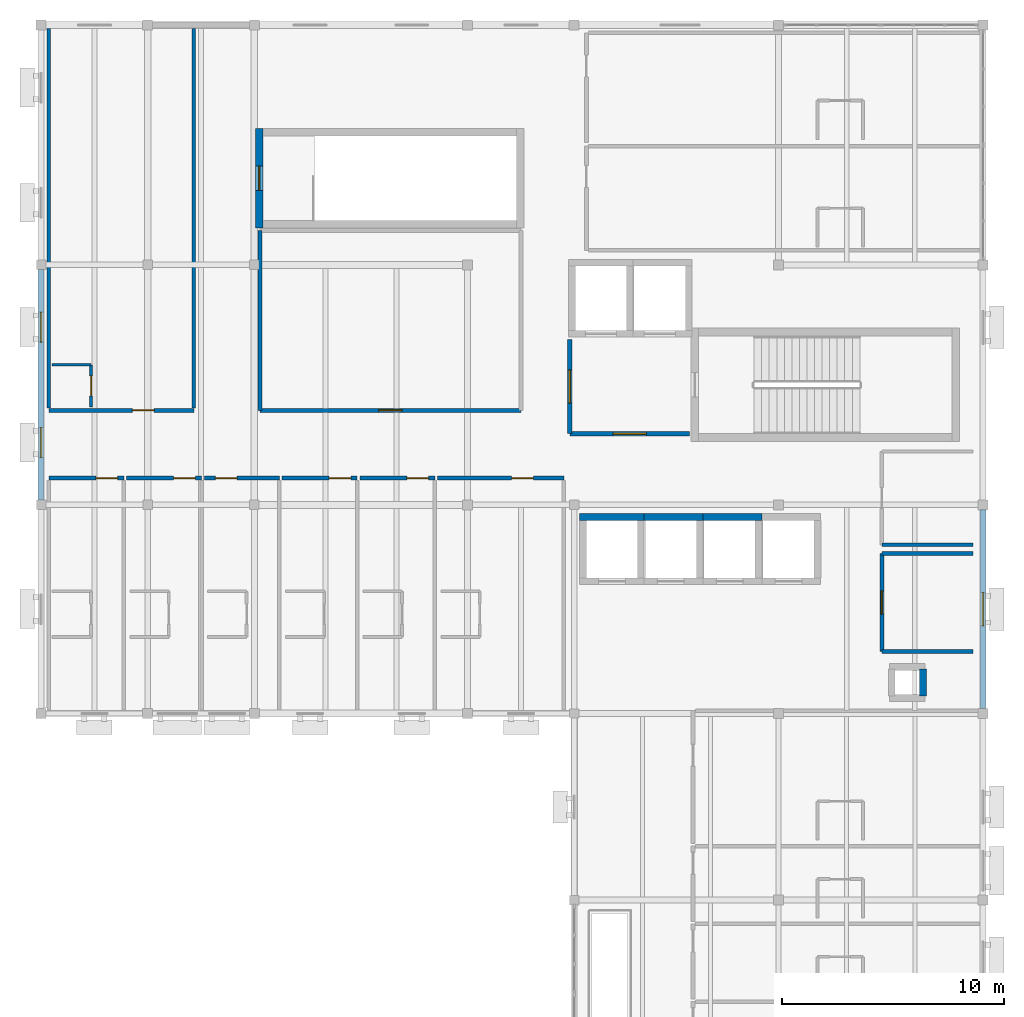
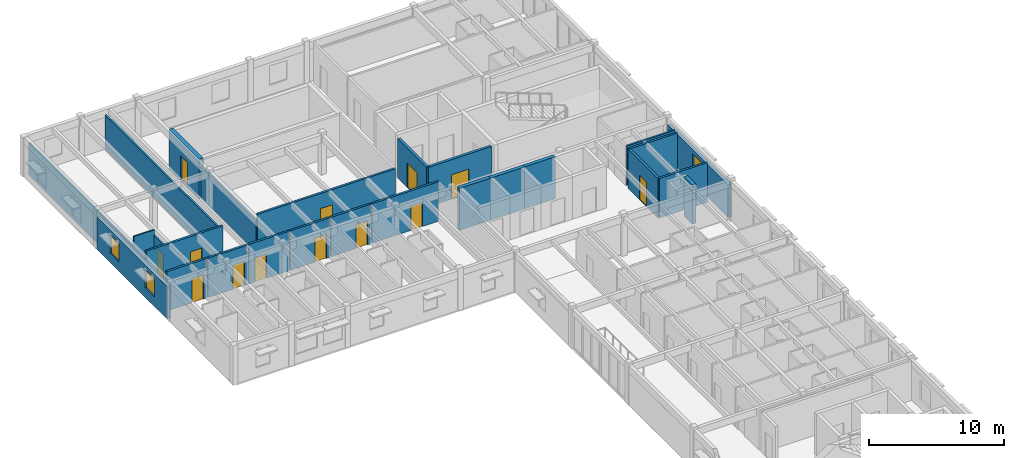
# One storey, part 10 of 17: 26 walls, 13 doors, 3 windows, 16 openings.
"""IFC4 building model written with IfcOpenShell, lengths in metres."""

from ifc_helpers import new_model, si_unit, direction, frame, frame_2d, origin, place, context, subcontext, project, spatial, rectangle, extrude, material, layer, layer_set, type_object, element, fill, save


model = new_model("IFC4")

# Units and contexts
model_context = context("Model", 3, precision=1e-05, world=origin(), true_north=direction((0.0, 1.0)))
body_context = subcontext(model_context, "Body", "Model", "MODEL_VIEW")
ifc_project = project(units=[si_unit("LENGTHUNIT", "METRE"), si_unit("AREAUNIT", "SQUARE_METRE"), si_unit("VOLUMEUNIT", "CUBIC_METRE"), si_unit("PLANEANGLEUNIT", "RADIAN"), si_unit("MASSUNIT", "GRAM", prefix="KILO")], contexts=[model_context])

# Site, building, storey
site_placement = place(None, origin())
site = spatial("IfcSite", under=ifc_project, at=site_placement, CompositionType="ELEMENT")
building_placement = place(site_placement, origin())
building = spatial("IfcBuilding", under=site, at=building_placement, Name="Veldera Park Congress Hotel", CompositionType="ELEMENT")
storey_placement = place(building_placement, frame((0.0, 0.0, 35.199951171875)))
storey = spatial("IfcBuildingStorey", under=building, at=storey_placement, Name="L08", CompositionType="ELEMENT", Elevation=35.199951171875)

# Wall, opening, window
ifc_material_1 = material(Name="Cross-laminated timber CLT V2M1.1", Category="wood")
ifc_layer_1 = layer(ifc_material_1, 0.280029296875)
ifc_layer_set_1 = layer_set([ifc_layer_1], Name="Cross-laminated timber CLT V2M1.1")
wall_type_1 = type_object("IfcWallType", Name="EW-CLT280", PredefinedType="STANDARD", material=ifc_layer_set_1)
wall_1_placement = place(storey_placement, frame((84.0, 27.222900390625, 0.0), z_axis=(0.0, 0.0, 1.0), x_axis=(0.0, 1.0, 0.0)))
wall_1 = element("IfcWall", 1, at=wall_1_placement, inside=storey, type_object=wall_type_1, Name="L08 Exterior Wall EW3-L08-0378", PredefinedType="STANDARD", context=body_context, shape_type="SweptSolid", body=[
    extrude(rectangle(XDim=8.9541015625, YDim=0.280029296875, at=frame_2d((4.47705078125, 0.0))), origin(), (0.0, 0.0, 1.0), 2.97998046875),
])
opening_1_placement = place(wall_1_placement, frame((3.72705078125, 0.0, 0.85009765625)))
opening_1 = element("IfcOpeningElement", 2, at=opening_1_placement, cuts=wall_1, Name="Opening WIN-1500", PredefinedType="OPENING", context=body_context, shape_type="SweptSolid", body=[
    extrude(rectangle(XDim=1.5, YDim=1.75, at=frame_2d((0.75, 0.875))), frame((0.0, 0.152099609375, 0.0), z_axis=(0.0, -1.0, 0.0), x_axis=(1.0, 0.0, 0.0)), (0.0, 0.0, 1.0), 0.303955078125),
])
ifc_material_2 = material(Name="Low-E Triple Insulating Glass Unit (SHGC 0.22)", Category="glass")
window_type_1 = type_object("IfcWindowType", Name="WIN-1500", PartitioningType="SINGLE_PANEL", PredefinedType="WINDOW", material=ifc_material_2)
window_1_placement = place(opening_1_placement, origin())
window_1 = element("IfcWindow", 3, at=window_1_placement, inside=storey, type_object=window_type_1, Name="L08 Window WIN-1500 288", OverallHeight=1.75, OverallWidth=1.5, PartitioningType="SINGLE_PANEL", PredefinedType="WINDOW", context=body_context, shape_type="SweptSolid", body=[
    extrude(rectangle(XDim=1.5, YDim=1.75, at=frame_2d((0.75, 0.875))), frame((0.0, 0.030029296875, 0.0), z_axis=(0.0, -1.0, 0.0), x_axis=(1.0, 0.0, 0.0)), (0.0, 0.0, 1.0), 0.06005859375),
])
fill(opening_1, window_1)

# Wall, openings, windows
wall_2_placement = place(storey_placement, frame((41.60009765625, 46.991943359375, 0.0), z_axis=(0.0, 0.0, 1.0), x_axis=(0.0, -1.0, 0.0)))
wall_2 = element("IfcWall", 4, at=wall_2_placement, inside=storey, type_object=wall_type_1, Name="L08 Exterior Wall EW3-L08-0386", PredefinedType="STANDARD", context=body_context, shape_type="SweptSolid", body=[
    extrude(rectangle(XDim=10.384033203125, YDim=0.280029296875, at=frame_2d((5.19189453125, 0.0))), origin(), (0.0, 0.0, 1.0), 2.920166015625),
])
opening_2_placement = place(wall_2_placement, frame((1.9208984375, 0.0, 0.85009765625)))
opening_2 = element("IfcOpeningElement", 5, at=opening_2_placement, cuts=wall_2, Name="Opening WIN-1350", PredefinedType="OPENING", context=body_context, shape_type="SweptSolid", body=[
    extrude(rectangle(XDim=1.35009765625, YDim=1.64990234375, at=frame_2d((0.675048828125, 0.824951171875))), frame((0.0, 0.152099609375, 0.0), z_axis=(0.0, -1.0, 0.0), x_axis=(1.0, 0.0, 0.0)), (0.0, 0.0, 1.0), 0.303955078125),
])
opening_3_placement = place(wall_2_placement, frame((7.113037109375, 0.0, 0.85009765625)))
opening_3 = element("IfcOpeningElement", 6, at=opening_3_placement, cuts=wall_2, Name="Opening WIN-1350", PredefinedType="OPENING", context=body_context, shape_type="SweptSolid", body=[
    extrude(rectangle(XDim=1.35009765625, YDim=1.64990234375, at=frame_2d((0.675048828125, 0.824951171875))), frame((0.0, 0.152099609375, 0.0), z_axis=(0.0, -1.0, 0.0), x_axis=(1.0, 0.0, 0.0)), (0.0, 0.0, 1.0), 0.303955078125),
])
window_type_2 = type_object("IfcWindowType", Name="WIN-1350", PartitioningType="SINGLE_PANEL", PredefinedType="WINDOW", material=ifc_material_2)
window_2_placement = place(opening_2_placement, origin())
window_2 = element("IfcWindow", 7, at=window_2_placement, inside=storey, type_object=window_type_2, Name="L08 Window WIN-1350 296", OverallHeight=1.64990234375, OverallWidth=1.35009765625, PartitioningType="SINGLE_PANEL", PredefinedType="WINDOW", context=body_context, shape_type="SweptSolid", body=[
    extrude(rectangle(XDim=1.35009765625, YDim=1.64990234375, at=frame_2d((0.675048828125, 0.824951171875))), frame((0.0, 0.030029296875, 0.0), z_axis=(0.0, -1.0, 0.0), x_axis=(1.0, 0.0, 0.0)), (0.0, 0.0, 1.0), 0.06005859375),
])
fill(opening_2, window_2)
window_3_placement = place(opening_3_placement, origin())
window_3 = element("IfcWindow", 8, at=window_3_placement, inside=storey, type_object=window_type_2, Name="L08 Window WIN-1350 297", OverallHeight=1.64990234375, OverallWidth=1.35009765625, PartitioningType="SINGLE_PANEL", PredefinedType="WINDOW", context=body_context, shape_type="SweptSolid", body=[
    extrude(rectangle(XDim=1.35009765625, YDim=1.64990234375, at=frame_2d((0.675048828125, 0.824951171875))), frame((0.0, 0.030029296875, 0.0), z_axis=(0.0, -1.0, 0.0), x_axis=(1.0, 0.0, 0.0)), (0.0, 0.0, 1.0), 0.06005859375),
])
fill(opening_3, window_3)

# Wall, opening, door
ifc_material_3 = material(Name="Fire-Rated Gypsum Board on Cold-Formed Steel Studs", Category="steel")
ifc_layer_2 = layer(ifc_material_3, 0.1201171875)
ifc_layer_set_2 = layer_set([ifc_layer_2], Name="Fire-Rated Gypsum Board on Cold-Formed Steel Studs")
wall_type_2 = type_object("IfcWallType", Name="IW-BATH120", PredefinedType="PARTITIONING", material=ifc_layer_set_2)
wall_3_placement = place(storey_placement, frame((43.85009765625, 40.800048828125, 0.0), z_axis=(0.0, 0.0, 1.0), x_axis=(0.0, 1.0, 0.0)))
wall_3 = element("IfcWall", 9, at=wall_3_placement, inside=storey, type_object=wall_type_2, Name="L08 Partition Wall IW3-L08-01580", PredefinedType="PARTITIONING", context=body_context, shape_type="SweptSolid", body=[
    extrude(rectangle(XDim=1.89990234375, YDim=0.1201171875, at=frame_2d((0.949951171875, 0.0))), origin(), (0.0, 0.0, 1.0), 3.110107421875),
])
opening_4_placement = place(wall_3_placement, frame((0.5, 0.0, 0.0)))
opening_4 = element("IfcOpeningElement", 10, at=opening_4_placement, cuts=wall_3, Name="Opening ID-BATH090", PredefinedType="OPENING", context=body_context, shape_type="SweptSolid", body=[
    extrude(rectangle(XDim=0.89990234375, YDim=2.14990234375, at=frame_2d((0.449951171875, 1.074951171875))), frame((0.0, 0.072021484375, 0.0), z_axis=(0.0, -1.0, 0.0), x_axis=(1.0, 0.0, 0.0)), (0.0, 0.0, 1.0), 0.14404296875),
])
ifc_material_4 = material(Name="Solid Core White Oak Architectural Door", Category="wood")
door_type_1 = type_object("IfcDoorType", Name="ID-BATH090", OperationType="NOTDEFINED", PredefinedType="DOOR", material=ifc_material_4)
door_1_placement = place(opening_4_placement, origin())
door_1 = element("IfcDoor", 11, at=door_1_placement, inside=storey, type_object=door_type_1, Name="L08 En-suite 256 Door ID3-L08-0651 (DR3-ID3-L08-0651)", OperationType="SINGLE_SWING_LEFT", OverallHeight=2.14990234375, OverallWidth=0.89990234375, PredefinedType="DOOR", context=body_context, shape_type="SweptSolid", body=[
    extrude(rectangle(XDim=0.89990234375, YDim=2.14990234375, at=frame_2d((0.449951171875, 1.074951171875))), frame((0.0, 0.02490234375, 0.0), z_axis=(0.0, -1.0, 0.0), x_axis=(1.0, 0.0, 0.0)), (0.0, 0.0, 1.0), 0.050048828125),
])
fill(opening_4, door_1)

# Walls
wall_4_placement = place(storey_placement, frame((42.10009765625, 42.699951171875, 0.0), z_axis=(0.0, 0.0, 1.0), x_axis=(1.0, 0.0, 0.0)))
element("IfcWall", 12, at=wall_4_placement, inside=storey, type_object=wall_type_2, Name="L08 Partition Wall IW3-L08-01581", PredefinedType="PARTITIONING", context=body_context, shape_type="SweptSolid", body=[
    extrude(rectangle(XDim=1.75, YDim=0.1201171875, at=frame_2d((0.875, 0.0))), origin(), (0.0, 0.0, 1.0), 3.56494140625),
])
ifc_layer_3 = layer(ifc_material_3, 0.179931640625)
ifc_layer_set_3 = layer_set([ifc_layer_3], Name="Fire-Rated Gypsum Board on Cold-Formed Steel Studs")
wall_type_3 = type_object("IfcWallType", Name="IW-CORR180", PredefinedType="PARTITIONING", material=ifc_layer_set_3)
for number, where, z_axis, x_axis, name in (
    (13, (79.449951171875, 29.800048828125, 0.0), (0.0, 0.0, 1.0), (1.0, 0.0, 0.0), "L08 Partition Wall IW3-L08-00307"),
    (14, (83.550048828125, 34.199951171875, 0.0), (0.0, 0.0, 1.0), (-1.0, 0.0, 0.0), "L08 Partition Wall IW3-L08-00308"),
):
    element("IfcWall", number, at=place(storey_placement, frame(where, z_axis=z_axis, x_axis=x_axis)), inside=storey, type_object=wall_type_3, Name=name, PredefinedType="PARTITIONING", context=body_context, shape_type="SweptSolid", body=[
        extrude(rectangle(XDim=4.10009765625, YDim=0.179931640625, at=frame_2d((2.050048828125, 0.0))), origin(), (0.0, 0.0, 1.0), 3.56494140625),
    ])

# Wall, opening, door
wall_5_placement = place(storey_placement, frame((79.449951171875, 34.199951171875, 0.0), z_axis=(0.0, 0.0, 1.0), x_axis=(0.0, -1.0, 0.0)))
wall_5 = element("IfcWall", 15, at=wall_5_placement, inside=storey, type_object=wall_type_3, Name="L08 Partition Wall IW3-L08-00309", PredefinedType="PARTITIONING", context=body_context, shape_type="SweptSolid", body=[
    extrude(rectangle(XDim=4.39990234375, YDim=0.179931640625, at=frame_2d((2.199951171875, 0.0))), origin(), (0.0, 0.0, 1.0), 3.56494140625),
])
opening_5_placement = place(wall_5_placement, frame((1.675048828125, 0.0, 0.0)))
opening_5 = element("IfcOpeningElement", 16, at=opening_5_placement, cuts=wall_5, Name="Opening ID-MEET105", PredefinedType="OPENING", context=body_context, shape_type="SweptSolid", body=[
    extrude(rectangle(XDim=1.050048828125, YDim=2.199951171875, at=frame_2d((0.52490234375, 1.10009765625))), frame((0.0, 0.10205078125, 0.0), z_axis=(0.0, -1.0, 0.0), x_axis=(1.0, 0.0, 0.0)), (0.0, 0.0, 1.0), 0.203857421875),
])
door_type_2 = type_object("IfcDoorType", Name="ID-MEET105", OperationType="NOTDEFINED", PredefinedType="DOOR", material=ifc_material_4)
door_2_placement = place(opening_5_placement, origin())
door_2 = element("IfcDoor", 17, at=door_2_placement, inside=storey, type_object=door_type_2, Name="L08 L08 Housekeeping and Linen Store Door ID3-L08-0115 (DR3-ID3-L08-0115)", OperationType="SINGLE_SWING_RIGHT", OverallHeight=2.199951171875, OverallWidth=1.050048828125, PredefinedType="DOOR", context=body_context, shape_type="SweptSolid", body=[
    extrude(rectangle(XDim=1.050048828125, YDim=2.199951171875, at=frame_2d((0.52490234375, 1.10009765625))), frame((0.0, 0.02490234375, 0.0), z_axis=(0.0, -1.0, 0.0), x_axis=(1.0, 0.0, 0.0)), (0.0, 0.0, 1.0), 0.050048828125),
])
fill(opening_5, door_2)

wall_6_placement = place(storey_placement, frame((51.449951171875, 40.64990234375, 0.0), z_axis=(0.0, 0.0, 1.0), x_axis=(1.0, 0.0, 0.0)))
wall_6 = element("IfcWall", 18, at=wall_6_placement, inside=storey, type_object=wall_type_3, Name="L08 Partition Wall IW3-L08-00313", PredefinedType="PARTITIONING", context=body_context, shape_type="SweptSolid", body=[
    extrude(rectangle(XDim=11.75, YDim=0.179931640625, at=frame_2d((5.875, 0.0))), origin(), (0.0, 0.0, 1.0), 3.56494140625),
])
opening_6_placement = place(wall_6_placement, frame((5.35009765625, 0.0, 0.0)))
opening_6 = element("IfcOpeningElement", 19, at=opening_6_placement, cuts=wall_6, Name="Opening ID-MEET105", PredefinedType="OPENING", context=body_context, shape_type="SweptSolid", body=[
    extrude(rectangle(XDim=1.050048828125, YDim=2.199951171875, at=frame_2d((0.52490234375, 1.10009765625))), frame((0.0, 0.10205078125, 0.0), z_axis=(0.0, -1.0, 0.0), x_axis=(1.0, 0.0, 0.0)), (0.0, 0.0, 1.0), 0.203857421875),
])
door_3_placement = place(opening_6_placement, origin())
door_3 = element("IfcDoor", 20, at=door_3_placement, inside=storey, type_object=door_type_2, Name="L08 L08 North Garden Executive Boardroom Door ID3-L08-0117 (DR3-ID3-L08-0117)", OperationType="SINGLE_SWING_RIGHT", OverallHeight=2.199951171875, OverallWidth=1.050048828125, PredefinedType="DOOR", context=body_context, shape_type="SweptSolid", body=[
    extrude(rectangle(XDim=1.050048828125, YDim=2.199951171875, at=frame_2d((0.52490234375, 1.10009765625))), frame((0.0, 0.02490234375, 0.0), z_axis=(0.0, -1.0, 0.0), x_axis=(1.0, 0.0, 0.0)), (0.0, 0.0, 1.0), 0.050048828125),
])
fill(opening_6, door_3)

# Wall
wall_7_placement = place(storey_placement, frame((51.449951171875, 48.75, 0.0), z_axis=(0.0, 0.0, 1.0), x_axis=(0.0, -1.0, 0.0)))
element("IfcWall", 21, at=wall_7_placement, inside=storey, type_object=wall_type_3, Name="L08 Partition Wall IW3-L08-00316", PredefinedType="PARTITIONING", context=body_context, shape_type="SweptSolid", body=[
    extrude(rectangle(XDim=8.10009765625, YDim=0.179931640625, at=frame_2d((4.050048828125, 0.0))), origin(), (0.0, 0.0, 1.0), 2.920166015625),
])

# Wall, opening, door
wall_8_placement = place(storey_placement, frame((45.330078125, 37.60009765625, 0.0), z_axis=(0.0, 0.0, 1.0), x_axis=(-1.0, 0.0, 0.0)))
wall_8 = element("IfcWall", 22, at=wall_8_placement, inside=storey, type_object=wall_type_3, Name="L08 Corridor Wall IW3-L08-01535", PredefinedType="PARTITIONING", context=body_context, shape_type="SweptSolid", body=[
    extrude(rectangle(XDim=3.380126953125, YDim=0.179931640625, at=frame_2d((1.68994140625, 0.0))), origin(), (0.0, 0.0, 1.0), 3.56494140625),
])
opening_7_placement = place(wall_8_placement, frame((0.280029296875, 0.0, 0.0)))
opening_7 = element("IfcOpeningElement", 23, at=opening_7_placement, cuts=wall_8, Name="Opening ID-UNIT098", PredefinedType="OPENING", context=body_context, shape_type="SweptSolid", body=[
    extrude(rectangle(XDim=0.97998046875, YDim=2.179931640625, at=frame_2d((0.489990234375, 1.08984375))), frame((0.0, 0.10205078125, 0.0), z_axis=(0.0, -1.0, 0.0), x_axis=(1.0, 0.0, 0.0)), (0.0, 0.0, 1.0), 0.203857421875),
])
door_type_3 = type_object("IfcDoorType", Name="ID-UNIT098", OperationType="NOTDEFINED", PredefinedType="DOOR", material=ifc_material_4)
door_4_placement = place(opening_7_placement, frame((0.97998046875, 0.0, 0.0), z_axis=(0.0, 0.0, 1.0), x_axis=(-1.0, 0.0, 0.0)))
door_4 = element("IfcDoor", 24, at=door_4_placement, inside=storey, type_object=door_type_3, Name="L08 Guestroom 248 Entry Door (DR3-UD3-L08-248)", OperationType="SINGLE_SWING_RIGHT", OverallHeight=2.179931640625, OverallWidth=0.97998046875, PredefinedType="DOOR", context=body_context, shape_type="SweptSolid", body=[
    extrude(rectangle(XDim=0.97998046875, YDim=2.179931640625, at=frame_2d((0.489990234375, 1.08984375))), frame((0.0, 0.02490234375, 0.0), z_axis=(0.0, -1.0, 0.0), x_axis=(1.0, 0.0, 0.0)), (0.0, 0.0, 1.0), 0.050048828125),
])
fill(opening_7, door_4)

wall_9_placement = place(storey_placement, frame((48.830078125, 37.60009765625, 0.0), z_axis=(0.0, 0.0, 1.0), x_axis=(-1.0, 0.0, 0.0)))
wall_9 = element("IfcWall", 25, at=wall_9_placement, inside=storey, type_object=wall_type_3, Name="L08 Corridor Wall IW3-L08-01541", PredefinedType="PARTITIONING", context=body_context, shape_type="SweptSolid", body=[
    extrude(rectangle(XDim=3.380126953125, YDim=0.179931640625, at=frame_2d((1.68994140625, 0.0))), origin(), (0.0, 0.0, 1.0), 3.56494140625),
])
opening_8_placement = place(wall_9_placement, frame((0.280029296875, 0.0, 0.0)))
opening_8 = element("IfcOpeningElement", 26, at=opening_8_placement, cuts=wall_9, Name="Opening ID-UNIT098", PredefinedType="OPENING", context=body_context, shape_type="SweptSolid", body=[
    extrude(rectangle(XDim=0.97998046875, YDim=2.179931640625, at=frame_2d((0.489990234375, 1.08984375))), frame((0.0, 0.10205078125, 0.0), z_axis=(0.0, -1.0, 0.0), x_axis=(1.0, 0.0, 0.0)), (0.0, 0.0, 1.0), 0.203857421875),
])
door_5_placement = place(opening_8_placement, frame((0.97998046875, 0.0, 0.0), z_axis=(0.0, 0.0, 1.0), x_axis=(-1.0, 0.0, 0.0)))
door_5 = element("IfcDoor", 27, at=door_5_placement, inside=storey, type_object=door_type_3, Name="L08 Guestroom 249 Entry Door (DR3-UD3-L08-249)", OperationType="SINGLE_SWING_RIGHT", OverallHeight=2.179931640625, OverallWidth=0.97998046875, PredefinedType="DOOR", context=body_context, shape_type="SweptSolid", body=[
    extrude(rectangle(XDim=0.97998046875, YDim=2.179931640625, at=frame_2d((0.489990234375, 1.08984375))), frame((0.0, 0.02490234375, 0.0), z_axis=(0.0, -1.0, 0.0), x_axis=(1.0, 0.0, 0.0)), (0.0, 0.0, 1.0), 0.050048828125),
])
fill(opening_8, door_5)

wall_10_placement = place(storey_placement, frame((52.330078125, 37.60009765625, 0.0), z_axis=(0.0, 0.0, 1.0), x_axis=(-1.0, 0.0, 0.0)))
wall_10 = element("IfcWall", 28, at=wall_10_placement, inside=storey, type_object=wall_type_3, Name="L08 Corridor Wall IW3-L08-01546", PredefinedType="PARTITIONING", context=body_context, shape_type="SweptSolid", body=[
    extrude(rectangle(XDim=3.380126953125, YDim=0.179931640625, at=frame_2d((1.68994140625, 0.0))), origin(), (0.0, 0.0, 1.0), 3.56494140625),
])
opening_9_placement = place(wall_10_placement, frame((1.902099609375, 0.0, 0.0)))
opening_9 = element("IfcOpeningElement", 29, at=opening_9_placement, cuts=wall_10, Name="Opening ID-UNIT098", PredefinedType="OPENING", context=body_context, shape_type="SweptSolid", body=[
    extrude(rectangle(XDim=0.97998046875, YDim=2.179931640625, at=frame_2d((0.489990234375, 1.08984375))), frame((0.0, 0.10205078125, 0.0), z_axis=(0.0, -1.0, 0.0), x_axis=(1.0, 0.0, 0.0)), (0.0, 0.0, 1.0), 0.203857421875),
])
door_6_placement = place(opening_9_placement, frame((0.97998046875, 0.0, 0.0), z_axis=(0.0, 0.0, 1.0), x_axis=(-1.0, 0.0, 0.0)))
door_6 = element("IfcDoor", 30, at=door_6_placement, inside=storey, type_object=door_type_3, Name="L08 Guestroom 250 Entry Door (DR3-UD3-L08-250)", OperationType="SINGLE_SWING_RIGHT", OverallHeight=2.179931640625, OverallWidth=0.97998046875, PredefinedType="DOOR", context=body_context, shape_type="SweptSolid", body=[
    extrude(rectangle(XDim=0.97998046875, YDim=2.179931640625, at=frame_2d((0.489990234375, 1.08984375))), frame((0.0, 0.02490234375, 0.0), z_axis=(0.0, -1.0, 0.0), x_axis=(1.0, 0.0, 0.0)), (0.0, 0.0, 1.0), 0.050048828125),
])
fill(opening_9, door_6)

wall_11_placement = place(storey_placement, frame((55.830078125, 37.60009765625, 0.0), z_axis=(0.0, 0.0, 1.0), x_axis=(-1.0, 0.0, 0.0)))
wall_11 = element("IfcWall", 31, at=wall_11_placement, inside=storey, type_object=wall_type_3, Name="L08 Corridor Wall IW3-L08-01551", PredefinedType="PARTITIONING", context=body_context, shape_type="SweptSolid", body=[
    extrude(rectangle(XDim=3.380126953125, YDim=0.179931640625, at=frame_2d((1.68994140625, 0.0))), origin(), (0.0, 0.0, 1.0), 3.56494140625),
])
opening_10_placement = place(wall_11_placement, frame((0.280029296875, 0.0, 0.0)))
opening_10 = element("IfcOpeningElement", 32, at=opening_10_placement, cuts=wall_11, Name="Opening ID-UNIT098", PredefinedType="OPENING", context=body_context, shape_type="SweptSolid", body=[
    extrude(rectangle(XDim=0.97998046875, YDim=2.179931640625, at=frame_2d((0.489990234375, 1.08984375))), frame((0.0, 0.10205078125, 0.0), z_axis=(0.0, -1.0, 0.0), x_axis=(1.0, 0.0, 0.0)), (0.0, 0.0, 1.0), 0.203857421875),
])
door_7_placement = place(opening_10_placement, frame((0.97998046875, 0.0, 0.0), z_axis=(0.0, 0.0, 1.0), x_axis=(-1.0, 0.0, 0.0)))
door_7 = element("IfcDoor", 33, at=door_7_placement, inside=storey, type_object=door_type_3, Name="L08 Guestroom 251 Entry Door (DR3-UD3-L08-251)", OperationType="SINGLE_SWING_RIGHT", OverallHeight=2.179931640625, OverallWidth=0.97998046875, PredefinedType="DOOR", context=body_context, shape_type="SweptSolid", body=[
    extrude(rectangle(XDim=0.97998046875, YDim=2.179931640625, at=frame_2d((0.489990234375, 1.08984375))), frame((0.0, 0.02490234375, 0.0), z_axis=(0.0, -1.0, 0.0), x_axis=(1.0, 0.0, 0.0)), (0.0, 0.0, 1.0), 0.050048828125),
])
fill(opening_10, door_7)

wall_12_placement = place(storey_placement, frame((59.330078125, 37.60009765625, 0.0), z_axis=(0.0, 0.0, 1.0), x_axis=(-1.0, 0.0, 0.0)))
wall_12 = element("IfcWall", 34, at=wall_12_placement, inside=storey, type_object=wall_type_3, Name="L08 Corridor Wall IW3-L08-01556", PredefinedType="PARTITIONING", context=body_context, shape_type="SweptSolid", body=[
    extrude(rectangle(XDim=3.380126953125, YDim=0.179931640625, at=frame_2d((1.68994140625, 0.0))), origin(), (0.0, 0.0, 1.0), 3.56494140625),
])
opening_11_placement = place(wall_12_placement, frame((0.280029296875, 0.0, 0.0)))
opening_11 = element("IfcOpeningElement", 35, at=opening_11_placement, cuts=wall_12, Name="Opening ID-UNIT098", PredefinedType="OPENING", context=body_context, shape_type="SweptSolid", body=[
    extrude(rectangle(XDim=0.97998046875, YDim=2.179931640625, at=frame_2d((0.489990234375, 1.08984375))), frame((0.0, 0.10205078125, 0.0), z_axis=(0.0, -1.0, 0.0), x_axis=(1.0, 0.0, 0.0)), (0.0, 0.0, 1.0), 0.203857421875),
])
door_8_placement = place(opening_11_placement, frame((0.97998046875, 0.0, 0.0), z_axis=(0.0, 0.0, 1.0), x_axis=(-1.0, 0.0, 0.0)))
door_8 = element("IfcDoor", 36, at=door_8_placement, inside=storey, type_object=door_type_3, Name="L08 Guestroom 252 Entry Door (DR3-UD3-L08-252)", OperationType="SINGLE_SWING_RIGHT", OverallHeight=2.179931640625, OverallWidth=0.97998046875, PredefinedType="DOOR", context=body_context, shape_type="SweptSolid", body=[
    extrude(rectangle(XDim=0.97998046875, YDim=2.179931640625, at=frame_2d((0.489990234375, 1.08984375))), frame((0.0, 0.02490234375, 0.0), z_axis=(0.0, -1.0, 0.0), x_axis=(1.0, 0.0, 0.0)), (0.0, 0.0, 1.0), 0.050048828125),
])
fill(opening_11, door_8)

wall_13_placement = place(storey_placement, frame((65.1298828125, 37.60009765625, 0.0), z_axis=(0.0, 0.0, 1.0), x_axis=(-1.0, 0.0, 0.0)))
wall_13 = element("IfcWall", 37, at=wall_13_placement, inside=storey, type_object=wall_type_3, Name="L08 Corridor Wall IW3-L08-01561", PredefinedType="PARTITIONING", context=body_context, shape_type="SweptSolid", body=[
    extrude(rectangle(XDim=5.679931640625, YDim=0.179931640625, at=frame_2d((2.83984375, 0.0))), origin(), (0.0, 0.0, 1.0), 3.56494140625),
])
opening_12_placement = place(wall_13_placement, frame((1.3701171875, 0.0, 0.0)))
opening_12 = element("IfcOpeningElement", 38, at=opening_12_placement, cuts=wall_13, Name="Opening ID-UNIT098", PredefinedType="OPENING", context=body_context, shape_type="SweptSolid", body=[
    extrude(rectangle(XDim=0.97998046875, YDim=2.179931640625, at=frame_2d((0.489990234375, 1.08984375))), frame((0.0, 0.10205078125, 0.0), z_axis=(0.0, -1.0, 0.0), x_axis=(1.0, 0.0, 0.0)), (0.0, 0.0, 1.0), 0.203857421875),
])
door_9_placement = place(opening_12_placement, frame((0.97998046875, 0.0, 0.0), z_axis=(0.0, 0.0, 1.0), x_axis=(-1.0, 0.0, 0.0)))
door_9 = element("IfcDoor", 39, at=door_9_placement, inside=storey, type_object=door_type_3, Name="L08 Guestroom 253 Entry Door (DR3-UD3-L08-253)", OperationType="SINGLE_SWING_RIGHT", OverallHeight=2.179931640625, OverallWidth=0.97998046875, PredefinedType="DOOR", context=body_context, shape_type="SweptSolid", body=[
    extrude(rectangle(XDim=0.97998046875, YDim=2.179931640625, at=frame_2d((0.489990234375, 1.08984375))), frame((0.0, 0.02490234375, 0.0), z_axis=(0.0, -1.0, 0.0), x_axis=(1.0, 0.0, 0.0)), (0.0, 0.0, 1.0), 0.050048828125),
])
fill(opening_12, door_9)

wall_14_placement = place(storey_placement, frame((41.949951171875, 40.64990234375, 0.0), z_axis=(0.0, 0.0, 1.0), x_axis=(1.0, 0.0, 0.0)))
wall_14 = element("IfcWall", 40, at=wall_14_placement, inside=storey, type_object=wall_type_3, Name="L08 Corridor Wall IW3-L08-01577", PredefinedType="PARTITIONING", context=body_context, shape_type="SweptSolid", body=[
    extrude(rectangle(XDim=6.530029296875, YDim=0.179931640625, at=frame_2d((3.26513671875, 0.0))), origin(), (0.0, 0.0, 1.0), 3.56494140625),
])
opening_13_placement = place(wall_14_placement, frame((3.7548828125, 0.0, 0.0)))
opening_13 = element("IfcOpeningElement", 41, at=opening_13_placement, cuts=wall_14, Name="Opening ID-UNIT098", PredefinedType="OPENING", context=body_context, shape_type="SweptSolid", body=[
    extrude(rectangle(XDim=0.97998046875, YDim=2.179931640625, at=frame_2d((0.489990234375, 1.08984375))), frame((0.0, 0.10205078125, 0.0), z_axis=(0.0, -1.0, 0.0), x_axis=(1.0, 0.0, 0.0)), (0.0, 0.0, 1.0), 0.203857421875),
])
door_10_placement = place(opening_13_placement, frame((0.97998046875, 0.0, 0.0), z_axis=(0.0, 0.0, 1.0), x_axis=(-1.0, 0.0, 0.0)))
door_10 = element("IfcDoor", 42, at=door_10_placement, inside=storey, type_object=door_type_3, Name="L08 Guestroom 256 Entry Door (DR3-UD3-L08-256)", OperationType="SINGLE_SWING_RIGHT", OverallHeight=2.179931640625, OverallWidth=0.97998046875, PredefinedType="DOOR", context=body_context, shape_type="SweptSolid", body=[
    extrude(rectangle(XDim=0.97998046875, YDim=2.179931640625, at=frame_2d((0.489990234375, 1.08984375))), frame((0.0, 0.02490234375, 0.0), z_axis=(0.0, -1.0, 0.0), x_axis=(1.0, 0.0, 0.0)), (0.0, 0.0, 1.0), 0.050048828125),
])
fill(opening_13, door_10)

ifc_material_5 = material(Name="Concrete f'c 40 MPa (5,800 psi)", Category="concrete")
ifc_layer_4 = layer(ifc_material_5, 0.219970703125)
ifc_layer_set_4 = layer_set([ifc_layer_4], Name="Concrete f'c 40 MPa (5,800 psi)")
wall_type_4 = type_object("IfcWallType", Name="IW-FIRE220", PredefinedType="STANDARD", material=ifc_layer_set_4)
wall_15_placement = place(storey_placement, frame((65.39990234375, 39.60009765625, 0.0), z_axis=(0.0, 0.0, 1.0), x_axis=(1.0, 0.0, 0.0)))
wall_15 = element("IfcWall", 43, at=wall_15_placement, inside=storey, type_object=wall_type_4, Name="L08 Partition Wall IW3-L08-00302", PredefinedType="STANDARD", context=body_context, shape_type="SweptSolid", body=[
    extrude(rectangle(XDim=5.400146484375, YDim=0.219970703125, at=frame_2d((2.7001953125, 0.0))), origin(), (0.0, 0.0, 1.0), 3.56494140625),
])
opening_14_placement = place(wall_15_placement, frame((1.949951171875, 0.0, 0.0)))
opening_14 = element("IfcOpeningElement", 44, at=opening_14_placement, cuts=wall_15, Name="Opening ID-LOB150", PredefinedType="OPENING", context=body_context, shape_type="SweptSolid", body=[
    extrude(rectangle(XDim=1.5, YDim=2.199951171875, at=frame_2d((0.75, 1.10009765625))), frame((0.0, 0.1220703125, 0.0), z_axis=(0.0, -1.0, 0.0), x_axis=(1.0, 0.0, 0.0)), (0.0, 0.0, 1.0), 0.243896484375),
])
ifc_material_6 = material(Name="Hollow Metal Fire-Rated Steel Door", Category="steel")
door_type_4 = type_object("IfcDoorType", Name="ID-LOB150", OperationType="DOUBLE_DOOR_SINGLE_SWING", PredefinedType="DOOR", material=ifc_material_6)
door_11_placement = place(opening_14_placement, origin())
door_11 = element("IfcDoor", 45, at=door_11_placement, inside=storey, type_object=door_type_4, Name="L08 Firefighting Lobby Door ID3-L08-0112 (DR3-ID3-L08-0112)", OperationType="DOUBLE_DOOR_SINGLE_SWING", OverallHeight=2.199951171875, OverallWidth=1.5, PredefinedType="DOOR", context=body_context, shape_type="SweptSolid", body=[
    extrude(rectangle(XDim=1.5, YDim=2.199951171875, at=frame_2d((0.75, 1.10009765625))), frame((0.0, 0.02490234375, 0.0), z_axis=(0.0, -1.0, 0.0), x_axis=(1.0, 0.0, 0.0)), (0.0, 0.0, 1.0), 0.050048828125),
])
fill(opening_14, door_11)

wall_16_placement = place(storey_placement, frame((65.39990234375, 43.85009765625, 0.0), z_axis=(0.0, 0.0, 1.0), x_axis=(0.0, -1.0, 0.0)))
wall_16 = element("IfcWall", 46, at=wall_16_placement, inside=storey, type_object=wall_type_4, Name="L08 Partition Wall IW3-L08-00303", PredefinedType="STANDARD", context=body_context, shape_type="SweptSolid", body=[
    extrude(rectangle(XDim=4.25, YDim=0.219970703125, at=frame_2d((2.125, 0.0))), origin(), (0.0, 0.0, 1.0), 3.56494140625),
])
opening_15_placement = place(wall_16_placement, frame((1.375, 0.0, 0.0)))
opening_15 = element("IfcOpeningElement", 47, at=opening_15_placement, cuts=wall_16, Name="Opening ID-LOB150", PredefinedType="OPENING", context=body_context, shape_type="SweptSolid", body=[
    extrude(rectangle(XDim=1.5, YDim=2.199951171875, at=frame_2d((0.75, 1.10009765625))), frame((0.0, 0.1220703125, 0.0), z_axis=(0.0, -1.0, 0.0), x_axis=(1.0, 0.0, 0.0)), (0.0, 0.0, 1.0), 0.243896484375),
])
door_12_placement = place(opening_15_placement, origin())
door_12 = element("IfcDoor", 48, at=door_12_placement, inside=storey, type_object=door_type_4, Name="L08 Firefighting Lobby Door ID3-L08-0113 (DR3-ID3-L08-0113)", OperationType="DOUBLE_DOOR_SINGLE_SWING", OverallHeight=2.199951171875, OverallWidth=1.5, PredefinedType="DOOR", context=body_context, shape_type="SweptSolid", body=[
    extrude(rectangle(XDim=1.5, YDim=2.199951171875, at=frame_2d((0.75, 1.10009765625))), frame((0.0, 0.02490234375, 0.0), z_axis=(0.0, -1.0, 0.0), x_axis=(1.0, 0.0, 0.0)), (0.0, 0.0, 1.0), 0.050048828125),
])
fill(opening_15, door_12)

# Walls
ifc_layer_5 = layer(ifc_material_3, 0.14990234375)
ifc_layer_set_5 = layer_set([ifc_layer_5], Name="Fire-Rated Gypsum Board on Cold-Formed Steel Studs")
wall_type_5 = type_object("IfcWallType", Name="IW-PLMB150", PredefinedType="PLUMBINGWALL", material=ifc_layer_set_5)
wall_17_placement = place(storey_placement, frame((79.449951171875, 34.60009765625, 0.0), z_axis=(0.0, 0.0, 1.0), x_axis=(1.0, 0.0, 0.0)))
element("IfcWall", 49, at=wall_17_placement, inside=storey, type_object=wall_type_5, Name="L08 Partition Wall IW3-L08-00310", PredefinedType="PLUMBINGWALL", context=body_context, shape_type="SweptSolid", body=[
    extrude(rectangle(XDim=4.10009765625, YDim=0.14990234375, at=frame_2d((2.050048828125, 0.0))), origin(), (0.0, 0.0, 1.0), 3.56494140625),
])
ifc_layer_6 = layer(ifc_material_1, 0.159912109375)
ifc_layer_set_6 = layer_set([ifc_layer_6], Name="Cross-laminated timber CLT V2M1.1")
wall_type_6 = type_object("IfcWallType", Name="IW-UNIT160", PredefinedType="PARTITIONING", material=ifc_layer_set_6)
wall_18_placement = place(storey_placement, frame((41.949951171875, 40.75, 0.0), z_axis=(0.0, 0.0, 1.0), x_axis=(0.0, 1.0, 0.0)))
element("IfcWall", 50, at=wall_18_placement, inside=storey, type_object=wall_type_6, Name="L08 Partition Wall IW3-L08-01578", PredefinedType="PARTITIONING", context=body_context, shape_type="SweptSolid", body=[
    extrude(rectangle(XDim=17.090087890625, YDim=0.159912109375, at=frame_2d((8.544921875, 0.0))), origin(), (0.0, 0.0, 1.0), 2.920166015625),
])
wall_19_placement = place(storey_placement, frame((48.47998046875, 40.75, 0.0), z_axis=(0.0, 0.0, 1.0), x_axis=(0.0, 1.0, 0.0)))
element("IfcWall", 51, at=wall_19_placement, inside=storey, type_object=wall_type_6, Name="L08 Partition Wall IW3-L08-01579", PredefinedType="PARTITIONING", context=body_context, shape_type="SweptSolid", body=[
    extrude(rectangle(XDim=17.090087890625, YDim=0.159912109375, at=frame_2d((8.544921875, 0.0))), origin(), (0.0, 0.0, 1.0), 3.110107421875),
])

# Wall, opening, door
ifc_layer_7 = layer(ifc_material_5, 0.35009765625)
ifc_layer_set_7 = layer_set([ifc_layer_7], Name="Concrete f'c 40 MPa (5,800 psi)")
wall_type_7 = type_object("IfcWallType", Name="SW-CORE350", PredefinedType="SHEAR", material=ifc_layer_set_7)
wall_20_placement = place(storey_placement, frame((51.425048828125, 53.35009765625, 0.0), z_axis=(0.0, 0.0, 1.0), x_axis=(0.0, -1.0, 0.0)))
wall_20 = element("IfcWall", 52, at=wall_20_placement, inside=storey, type_object=wall_type_7, Name="Stair ST3 Core Wall L08-W", PredefinedType="SHEAR", context=body_context, shape_type="SweptSolid", body=[
    extrude(rectangle(XDim=4.5, YDim=0.35009765625, at=frame_2d((2.25, 0.0))), origin(), (0.0, 0.0, 1.0), 3.56494140625),
])
opening_16_placement = place(wall_20_placement, frame((1.699951171875, 0.0, 0.0)))
opening_16 = element("IfcOpeningElement", 53, at=opening_16_placement, cuts=wall_20, Name="Opening ID-STAIR110", PredefinedType="OPENING", context=body_context, shape_type="SweptSolid", body=[
    extrude(rectangle(XDim=1.10009765625, YDim=2.199951171875, at=frame_2d((0.550048828125, 1.10009765625))), frame((0.0, 0.18701171875, 0.0), z_axis=(0.0, -1.0, 0.0), x_axis=(1.0, 0.0, 0.0)), (0.0, 0.0, 1.0), 0.3740234375),
])
door_type_5 = type_object("IfcDoorType", Name="ID-STAIR110", OperationType="NOTDEFINED", PredefinedType="DOOR", material=ifc_material_6)
door_13_placement = place(opening_16_placement, origin())
door_13 = element("IfcDoor", 54, at=door_13_placement, inside=storey, type_object=door_type_5, Name="L08 Stair ST3 Fire Door (DR3-SD-ST3-L08)", OperationType="SINGLE_SWING_RIGHT", OverallHeight=2.199951171875, OverallWidth=1.10009765625, PredefinedType="DOOR", context=body_context, shape_type="SweptSolid", body=[
    extrude(rectangle(XDim=1.10009765625, YDim=2.199951171875, at=frame_2d((0.550048828125, 1.10009765625))), frame((0.0, 0.02490234375, 0.0), z_axis=(0.0, -1.0, 0.0), x_axis=(1.0, 0.0, 0.0)), (0.0, 0.0, 1.0), 0.050048828125),
])
fill(opening_16, door_13)

# Walls
ifc_layer_8 = layer(ifc_material_5, 0.300048828125)
ifc_layer_set_8 = layer_set([ifc_layer_8], Name="Concrete f'c 40 MPa (5,800 psi)")
wall_type_8 = type_object("IfcWallType", Name="SW-SHFT300", PredefinedType="SHEAR", material=ifc_layer_set_8)
wall_21_placement = place(storey_placement, frame((81.300048828125, 27.800048828125, 0.0), z_axis=(0.0, 0.0, 1.0), x_axis=(0.0, 1.0, 0.0)))
element("IfcWall", 55, at=wall_21_placement, inside=storey, type_object=wall_type_8, Name="MEP Riser Shaft Wall L08-E", PredefinedType="SHEAR", context=body_context, shape_type="SweptSolid", body=[
    extrude(rectangle(XDim=1.199951171875, YDim=0.300048828125, at=frame_2d((0.60009765625, 0.0))), origin(), (0.0, 0.0, 1.0), 3.56494140625),
])
for number, where, z_axis, x_axis, name in (
    (56, (68.75, 35.85009765625, 0.0), (0.0, 0.0, 1.0), (-1.0, 0.0, 0.0), "Lift PL-01 Shaft Wall L08-N"),
    (57, (71.39990234375, 35.85009765625, 0.0), (0.0, 0.0, 1.0), (-1.0, 0.0, 0.0), "Lift PL-02 Shaft Wall L08-N"),
):
    element("IfcWall", number, at=place(storey_placement, frame(where, z_axis=z_axis, x_axis=x_axis)), inside=storey, type_object=wall_type_8, Name=name, PredefinedType="SHEAR", context=body_context, shape_type="SweptSolid", body=[
        extrude(rectangle(XDim=2.89990234375, YDim=0.300048828125, at=frame_2d((1.449951171875, 0.0))), origin(), (0.0, 0.0, 1.0), 3.800048828125),
    ])
wall_22_placement = place(storey_placement, frame((74.050048828125, 35.85009765625, 0.0), z_axis=(0.0, 0.0, 1.0), x_axis=(-1.0, 0.0, 0.0)))
element("IfcWall", 58, at=wall_22_placement, inside=storey, type_object=wall_type_8, Name="Lift PL-03 Shaft Wall L08-N", PredefinedType="SHEAR", context=body_context, shape_type="SweptSolid", body=[
    extrude(rectangle(XDim=2.900146484375, YDim=0.300048828125, at=frame_2d((1.4501953125, 0.0))), origin(), (0.0, 0.0, 1.0), 3.800048828125),
])

save(model, "model.ifc")
